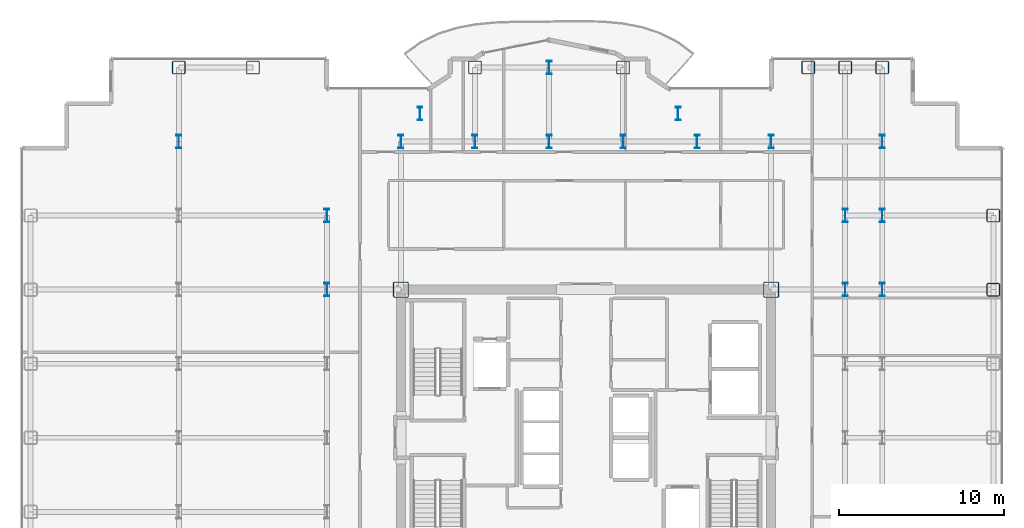
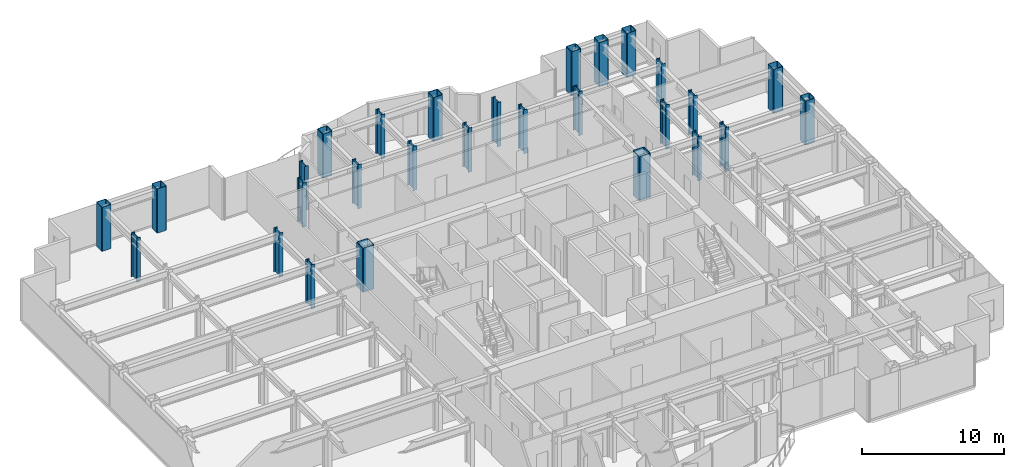
# One storey, part 2 of 23: 28 columns.
"""IFC4 building model written with IfcOpenShell, lengths in metres."""

from ifc_helpers import new_model, si_unit, direction, frame, origin, origin_2d, place, context, subcontext, project, spatial, hollow_rectangle, i_section, extrude, source, transform, mapped, material, material_profile, profile_set, type_object, element, save


model = new_model("IFC4")

# Units and contexts
model_context = context("Model", 3, precision=1e-05, world=origin(), true_north=direction((0.0, 1.0)))
body_context = subcontext(model_context, "Body", "Model", "MODEL_VIEW")
ifc_project = project(units=[si_unit("LENGTHUNIT", "METRE"), si_unit("AREAUNIT", "SQUARE_METRE"), si_unit("VOLUMEUNIT", "CUBIC_METRE"), si_unit("PLANEANGLEUNIT", "RADIAN"), si_unit("MASSUNIT", "GRAM", prefix="KILO")], contexts=[model_context])

# Site, building, storey
site_placement = place(None, origin())
site = spatial("IfcSite", under=ifc_project, at=site_placement, CompositionType="ELEMENT")
building_placement = place(site_placement, origin())
building = spatial("IfcBuilding", under=site, at=building_placement, Name="Nefas-Gora Pilgrimage Tower", CompositionType="ELEMENT")
storey_placement = place(building_placement, frame((0.0, 0.0, 156.39990234375)))
storey = spatial("IfcBuildingStorey", under=building, at=storey_placement, Name="L38", CompositionType="ELEMENT", Elevation=156.39990234375)

# Columns
ifc_material = material(Name="Steel S460", Category="steel")
ifc_material_profile_1 = material_profile(ifc_material, hollow_rectangle(XDim=0.949951171875, YDim=0.949951171875, WallThickness=0.044921875, InnerFilletRadius=0.044921875, OuterFilletRadius=0.090087890625, at=origin_2d()), Name="BOX 950x950x45")
ifc_profile_set_1 = profile_set([ifc_material_profile_1], Name="Steel S460")
column_type_1 = type_object("IfcColumnType", Name="COL-CORE-950", PredefinedType="COLUMN", material=ifc_profile_set_1)
shared_shape_1 = source(origin(), body_context, "Body", "SweptSolid", [
    extrude(hollow_rectangle(XDim=0.949951171875, YDim=0.949951171875, WallThickness=0.044921875, InnerFilletRadius=0.044921875, OuterFilletRadius=0.090087890625, at=origin_2d()), origin(), (0.0, 0.0, 1.0), 3.800048828125),
])
for number, where, z_axis, x_axis, name in (
    (1, (-11.25, 9.0, 0.0), (0.0, 0.0, 1.0), (1.0, 0.0, 0.0), "L38 Tower Column CC-Z1.30"),
    (2, (11.25, 9.0, 0.0), (0.0, 0.0, 1.0), (1.0, 0.0, 0.0), "L38 Tower Column CC-Z1.52"),
):
    element("IfcColumn", number, at=place(storey_placement, frame(where, z_axis=z_axis, x_axis=x_axis)), inside=storey, type_object=column_type_1, Name=name, PredefinedType="COLUMN", context=body_context, shape_type="MappedRepresentation", body=[
        mapped(shared_shape_1, transform((0.0, 0.0, 0.0), x_axis=(1.0, 0.0, 0.0), y_axis=(0.0, 1.0, 0.0), z_axis=(0.0, 0.0, 1.0), scale=1.0)),
    ])
ifc_material_profile_2 = material_profile(ifc_material, hollow_rectangle(XDim=0.800048828125, YDim=0.800048828125, WallThickness=0.0400390625, InnerFilletRadius=0.0400390625, OuterFilletRadius=0.080078125, at=origin_2d()), Name="BOX 800x800x40")
ifc_profile_set_2 = profile_set([ifc_material_profile_2], Name="Steel S460")
column_type_2 = type_object("IfcColumnType", Name="COL-TUBE-800", PredefinedType="COLUMN", material=ifc_profile_set_2)
shared_shape_2 = source(origin(), body_context, "Body", "SweptSolid", [
    extrude(hollow_rectangle(XDim=0.800048828125, YDim=0.800048828125, WallThickness=0.0400390625, InnerFilletRadius=0.0400390625, OuterFilletRadius=0.080078125, at=origin_2d()), origin(), (0.0, 0.0, 1.0), 3.800048828125),
])
for number, where, z_axis, x_axis, name in (
    (3, (-24.75, 22.5, 0.0), (0.0, 0.0, 1.0), (1.0, 0.0, 0.0), "L38 Tower Column C-Z2.18"),
    (4, (-20.25, 22.5, 0.0), (0.0, 0.0, 1.0), (1.0, 0.0, 0.0), "L38 Tower Column C-Z2.20"),
    (5, (-6.75, 22.5, 0.0), (0.0, 0.0, 1.0), (1.0, 0.0, 0.0), "L38 Tower Column C-Z2.37"),
    (6, (2.25, 22.5, 0.0), (0.0, 0.0, 1.0), (1.0, 0.0, 0.0), "L38 Tower Column C-Z2.45"),
    (7, (13.5, 22.5, 0.0), (0.0, 0.0, 1.0), (1.0, 0.0, 0.0), "L38 Tower Column C-Z2.55"),
    (8, (15.75, 22.5, 0.0), (0.0, 0.0, 1.0), (1.0, 0.0, 0.0), "L38 Tower Column C-Z2.64"),
    (9, (18.0, 22.5, 0.0), (0.0, 0.0, 1.0), (1.0, 0.0, 0.0), "L38 Tower Column C-Z2.75"),
    (10, (24.75, 9.0, 0.0), (0.0, 0.0, 1.0), (1.0, 0.0, 0.0), "L38 Tower Column C-Z2.81"),
    (11, (24.75, 13.5, 0.0), (0.0, 0.0, 1.0), (1.0, 0.0, 0.0), "L38 Tower Column C-Z2.82"),
):
    element("IfcColumn", number, at=place(storey_placement, frame(where, z_axis=z_axis, x_axis=x_axis)), inside=storey, type_object=column_type_2, Name=name, PredefinedType="COLUMN", context=body_context, shape_type="MappedRepresentation", body=[
        mapped(shared_shape_2, transform((0.0, 0.0, 0.0), x_axis=(1.0, 0.0, 0.0), y_axis=(0.0, 1.0, 0.0), z_axis=(0.0, 0.0, 1.0), scale=1.0)),
    ])
ifc_material_profile_3 = material_profile(ifc_material, i_section(OverallWidth=0.302978515625, OverallDepth=0.81396484375, WebThickness=0.02099609375, FlangeThickness=0.0400390625, FilletRadius=0.030029296875, at=origin_2d()), Name="HEM 800")
ifc_profile_set_3 = profile_set([ifc_material_profile_3], Name="Steel S460")
column_type_3 = type_object("IfcColumnType", Name="COL-WEB-HEM800", PredefinedType="COLUMN", material=ifc_profile_set_3)
shared_shape_3 = source(origin(), body_context, "Body", "SweptSolid", [
    extrude(i_section(OverallWidth=0.302978515625, OverallDepth=0.81396484375, WebThickness=0.02099609375, FlangeThickness=0.0400390625, FilletRadius=0.030029296875, at=origin_2d()), origin(), (0.0, 0.0, 1.0), 3.800048828125),
])
for number, where, z_axis, x_axis, name in (
    (12, (-24.75, 18.0, 0.0), (0.0, 0.0, 1.0), (1.0, 0.0, 0.0), "L38 Tower Column CW-02.17"),
    (13, (-15.75, 9.0, 0.0), (0.0, 0.0, 1.0), (1.0, 0.0, 0.0), "L38 Tower Column CW-02.26"),
    (14, (-15.75, 13.5, 0.0), (0.0, 0.0, 1.0), (1.0, 0.0, 0.0), "L38 Tower Column CW-02.27"),
    (15, (-11.25, 18.0, 0.0), (0.0, 0.0, 1.0), (1.0, 0.0, 0.0), "L38 Tower Column CW-02.31"),
    (16, (-10.091064453125, 19.696044921875, 0.0), (0.0, 0.0, 1.0), (1.0, 0.0, 0.0), "L38 Tower Column CW-02.33"),
    (17, (-6.75, 18.0, 0.0), (0.0, 0.0, 1.0), (1.0, 0.0, 0.0), "L38 Tower Column CW-02.36"),
    (18, (-2.25, 18.0, 0.0), (0.0, 0.0, 1.0), (1.0, 0.0, 0.0), "L38 Tower Column CW-02.40"),
    (19, (-2.25, 22.5, 0.0), (0.0, 0.0, 1.0), (1.0, 0.0, 0.0), "L38 Tower Column CW-02.41"),
    (20, (2.25, 18.0, 0.0), (0.0, 0.0, 1.0), (1.0, 0.0, 0.0), "L38 Tower Column CW-02.44"),
    (21, (5.591064453125, 19.696044921875, 0.0), (0.0, 0.0, 1.0), (1.0, 0.0, 0.0), "L38 Tower Column CW-02.47"),
    (22, (6.75, 18.0, 0.0), (0.0, 0.0, 1.0), (1.0, 0.0, 0.0), "L38 Tower Column CW-02.49"),
    (23, (11.25, 18.0, 0.0), (0.0, 0.0, 1.0), (1.0, 0.0, 0.0), "L38 Tower Column CW-02.53"),
    (24, (15.75, 9.0, 0.0), (0.0, 0.0, 1.0), (1.0, 0.0, 0.0), "L38 Tower Column CW-02.62"),
    (25, (15.75, 13.5, 0.0), (0.0, 0.0, 1.0), (1.0, 0.0, 0.0), "L38 Tower Column CW-02.63"),
    (26, (18.0, 9.0, 0.0), (0.0, 0.0, 1.0), (1.0, 0.0, 0.0), "L38 Tower Column CW-02.72"),
    (27, (18.0, 13.5, 0.0), (0.0, 0.0, 1.0), (1.0, 0.0, 0.0), "L38 Tower Column CW-02.73"),
    (28, (18.0, 18.0, 0.0), (0.0, 0.0, 1.0), (1.0, 0.0, 0.0), "L38 Tower Column CW-02.74"),
):
    element("IfcColumn", number, at=place(storey_placement, frame(where, z_axis=z_axis, x_axis=x_axis)), inside=storey, type_object=column_type_3, Name=name, PredefinedType="COLUMN", context=body_context, shape_type="MappedRepresentation", body=[
        mapped(shared_shape_3, transform((0.0, 0.0, 0.0), x_axis=(1.0, 0.0, 0.0), y_axis=(0.0, 1.0, 0.0), z_axis=(0.0, 0.0, 1.0), scale=1.0)),
    ])

save(model, "model.ifc")
